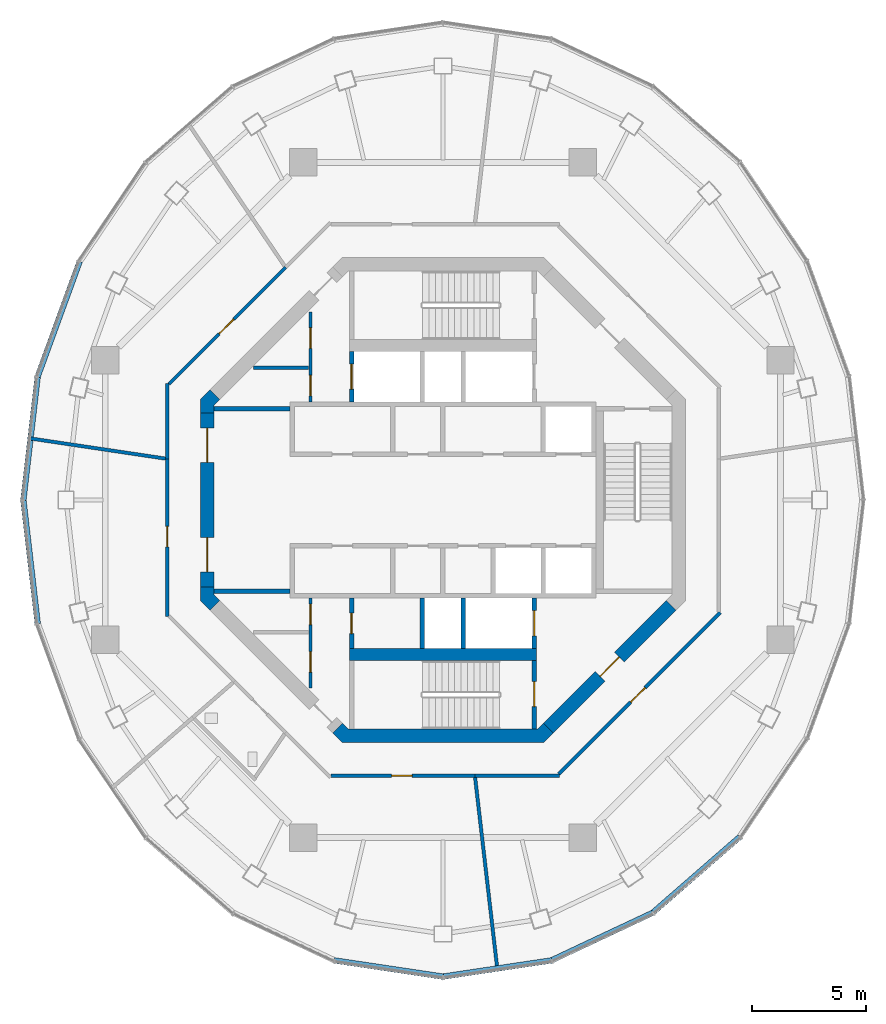
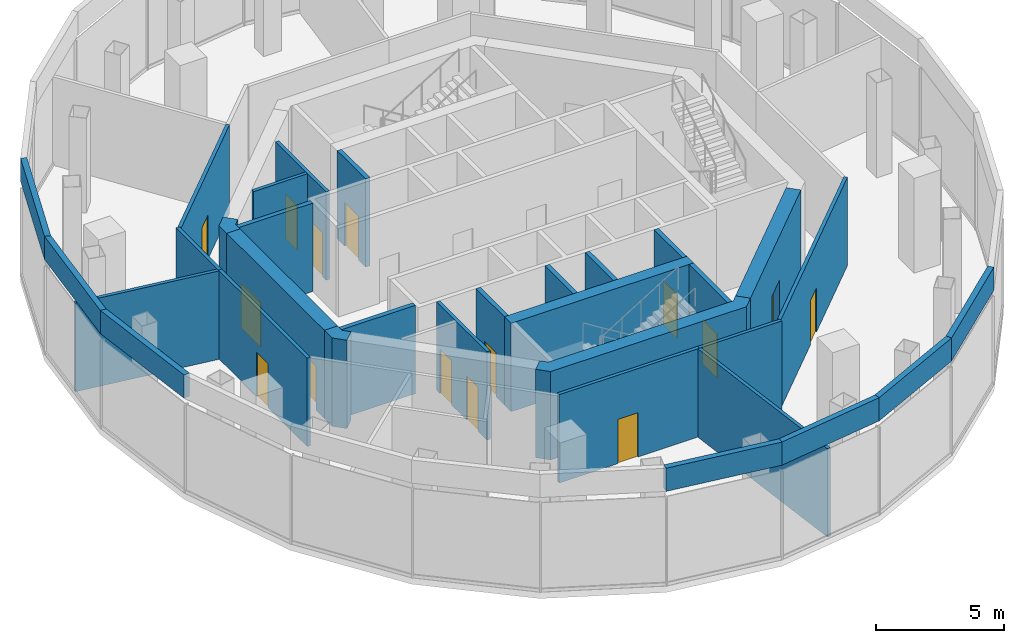
# One storey, part 7 of 11: 32 walls, 15 doors, 15 openings.
"""IFC4 building model written with IfcOpenShell, lengths in metres."""

from ifc_helpers import new_model, si_unit, direction, frame, frame_2d, origin, place, context, subcontext, project, spatial, polyline, rectangle, outline, extrude, material, layer, layer_set, type_object, element, fill, save


model = new_model("IFC4")

# Units and contexts
model_context = context("Model", 3, precision=1e-05, world=origin(), true_north=direction((0.0, 1.0)))
body_context = subcontext(model_context, "Body", "Model", "MODEL_VIEW")
ifc_project = project(units=[si_unit("LENGTHUNIT", "METRE"), si_unit("AREAUNIT", "SQUARE_METRE"), si_unit("VOLUMEUNIT", "CUBIC_METRE"), si_unit("PLANEANGLEUNIT", "RADIAN"), si_unit("MASSUNIT", "GRAM", prefix="KILO")], contexts=[model_context])

# Site, building, storey
site_placement = place(None, origin())
site = spatial("IfcSite", under=ifc_project, at=site_placement, CompositionType="ELEMENT")
building_placement = place(site_placement, origin())
building = spatial("IfcBuilding", under=site, at=building_placement, Name="Nagisa Residences", CompositionType="ELEMENT")
storey_placement = place(building_placement, frame((0.0, 0.0, 320.39990234375)))
storey = spatial("IfcBuildingStorey", under=building, at=storey_placement, Name="L79", CompositionType="ELEMENT", Elevation=320.39990234375)

# Wall, openings, doors
ifc_material_1 = material(Name="Gypsum board on steel studs", Category="steel")
ifc_layer_1 = layer(ifc_material_1, 0.14990234375)
ifc_layer_set_1 = layer_set([ifc_layer_1], Name="Core partition 150")
wall_type_1 = type_object("IfcWallType", Name="Core partition 150", PredefinedType="PARTITIONING", material=ifc_layer_set_1)
wall_1_placement = place(storey_placement, frame((-5.800048828125, 4.300048828125, 0.0), z_axis=(0.0, 0.0, 1.0), x_axis=(0.0, 1.0, 0.0)))
wall_1 = element("IfcWall", 1, at=wall_1_placement, inside=storey, type_object=wall_type_1, Name="wall:L79:NWp", PredefinedType="PARTITIONING", context=body_context, shape_type="SweptSolid", body=[
    extrude(rectangle(XDim=3.927001953125, YDim=0.14990234375, at=frame_2d((1.96337890625, 0.0))), origin(), (0.0, 0.0, 1.0), 4.2001953125),
])
opening_1_placement = place(wall_1_placement, frame((0.262451171875, 0.0, 0.0)))
opening_1 = element("IfcOpeningElement", 2, at=opening_1_placement, cuts=wall_1, Name="Opening L79-C10", PredefinedType="OPENING", context=body_context, shape_type="SweptSolid", body=[
    extrude(rectangle(XDim=0.89990234375, YDim=2.10009765625, at=frame_2d((0.449951171875, 1.050048828125))), frame((0.0, 0.0849609375, 0.0), z_axis=(0.0, -1.0, 0.0), x_axis=(1.0, 0.0, 0.0)), (0.0, 0.0, 1.0), 0.169921875),
])
opening_2_placement = place(wall_1_placement, frame((2.33837890625, 0.0, 0.0)))
opening_2 = element("IfcOpeningElement", 3, at=opening_2_placement, cuts=wall_1, Name="Opening L79-C11", PredefinedType="OPENING", context=body_context, shape_type="SweptSolid", body=[
    extrude(rectangle(XDim=0.89990234375, YDim=2.10009765625, at=frame_2d((0.449951171875, 1.050048828125))), frame((0.0, 0.0849609375, 0.0), z_axis=(0.0, -1.0, 0.0), x_axis=(1.0, 0.0, 0.0)), (0.0, 0.0, 1.0), 0.169921875),
])
ifc_material_2 = material(Name="Steel fire door", Category="steel")
door_type_1 = type_object("IfcDoorType", Name="Fire door EI30 900x2100 single swing", OperationType="NOTDEFINED", PredefinedType="DOOR", material=ifc_material_2)
door_1_placement = place(opening_1_placement, origin())
door_1 = element("IfcDoor", 4, at=door_1_placement, inside=storey, type_object=door_type_1, Name="Linen store door L79", OperationType="SINGLE_SWING_RIGHT", OverallHeight=2.10009765625, OverallWidth=0.89990234375, PredefinedType="DOOR", context=body_context, shape_type="SweptSolid", body=[
    extrude(rectangle(XDim=0.89990234375, YDim=2.10009765625, at=frame_2d((0.449951171875, 1.050048828125))), frame((0.0, 0.02490234375, 0.0), z_axis=(0.0, -1.0, 0.0), x_axis=(1.0, 0.0, 0.0)), (0.0, 0.0, 1.0), 0.050048828125),
])
fill(opening_1, door_1)
door_2_placement = place(opening_2_placement, origin())
door_2 = element("IfcDoor", 5, at=door_2_placement, inside=storey, type_object=door_type_1, Name="Refuse room door L79", OperationType="SINGLE_SWING_RIGHT", OverallHeight=2.10009765625, OverallWidth=0.89990234375, PredefinedType="DOOR", context=body_context, shape_type="SweptSolid", body=[
    extrude(rectangle(XDim=0.89990234375, YDim=2.10009765625, at=frame_2d((0.449951171875, 1.050048828125))), frame((0.0, 0.02490234375, 0.0), z_axis=(0.0, -1.0, 0.0), x_axis=(1.0, 0.0, 0.0)), (0.0, 0.0, 1.0), 0.050048828125),
])
fill(opening_2, door_2)

wall_2_placement = place(storey_placement, frame((-5.800048828125, -8.22705078125, 0.0), z_axis=(0.0, 0.0, 1.0), x_axis=(0.0, 1.0, 0.0)))
wall_2 = element("IfcWall", 6, at=wall_2_placement, inside=storey, type_object=wall_type_1, Name="wall:L79:SWp", PredefinedType="PARTITIONING", context=body_context, shape_type="SweptSolid", body=[
    extrude(rectangle(XDim=3.927001953125, YDim=0.14990234375, at=frame_2d((1.96337890625, 0.0))), origin(), (0.0, 0.0, 1.0), 4.2001953125),
])
opening_3_placement = place(wall_2_placement, frame((2.764404296875, 0.0, 0.0)))
opening_3 = element("IfcOpeningElement", 7, at=opening_3_placement, cuts=wall_2, Name="Opening L79-C12", PredefinedType="OPENING", context=body_context, shape_type="SweptSolid", body=[
    extrude(rectangle(XDim=0.89990234375, YDim=2.10009765625, at=frame_2d((0.449951171875, 1.050048828125))), frame((0.0, 0.0849609375, 0.0), z_axis=(0.0, -1.0, 0.0), x_axis=(1.0, 0.0, 0.0)), (0.0, 0.0, 1.0), 0.169921875),
])
opening_4_placement = place(wall_2_placement, frame((0.6884765625, 0.0, 0.0)))
opening_4 = element("IfcOpeningElement", 8, at=opening_4_placement, cuts=wall_2, Name="Opening L79-C13", PredefinedType="OPENING", context=body_context, shape_type="SweptSolid", body=[
    extrude(rectangle(XDim=0.89990234375, YDim=2.10009765625, at=frame_2d((0.449951171875, 1.050048828125))), frame((0.0, 0.0849609375, 0.0), z_axis=(0.0, -1.0, 0.0), x_axis=(1.0, 0.0, 0.0)), (0.0, 0.0, 1.0), 0.169921875),
])
door_3_placement = place(opening_3_placement, origin())
door_3 = element("IfcDoor", 9, at=door_3_placement, inside=storey, type_object=door_type_1, Name="Cleaner store door L79", OperationType="SINGLE_SWING_RIGHT", OverallHeight=2.10009765625, OverallWidth=0.89990234375, PredefinedType="DOOR", context=body_context, shape_type="SweptSolid", body=[
    extrude(rectangle(XDim=0.89990234375, YDim=2.10009765625, at=frame_2d((0.449951171875, 1.050048828125))), frame((0.0, 0.02490234375, 0.0), z_axis=(0.0, -1.0, 0.0), x_axis=(1.0, 0.0, 0.0)), (0.0, 0.0, 1.0), 0.050048828125),
])
fill(opening_3, door_3)
door_4_placement = place(opening_4_placement, origin())
door_4 = element("IfcDoor", 10, at=door_4_placement, inside=storey, type_object=door_type_1, Name="Package room door L79", OperationType="SINGLE_SWING_RIGHT", OverallHeight=2.10009765625, OverallWidth=0.89990234375, PredefinedType="DOOR", context=body_context, shape_type="SweptSolid", body=[
    extrude(rectangle(XDim=0.89990234375, YDim=2.10009765625, at=frame_2d((0.449951171875, 1.050048828125))), frame((0.0, 0.02490234375, 0.0), z_axis=(0.0, -1.0, 0.0), x_axis=(1.0, 0.0, 0.0)), (0.0, 0.0, 1.0), 0.050048828125),
])
fill(opening_4, door_4)

# Walls
wall_3_placement = place(storey_placement, frame((-8.301025390625, 5.800048828125, 0.0), z_axis=(0.0, 0.0, 1.0), x_axis=(1.0, 0.0, 0.0)))
element("IfcWall", 11, at=wall_3_placement, inside=storey, type_object=wall_type_1, Name="wall:L79:NWq", PredefinedType="PARTITIONING", context=body_context, shape_type="SweptSolid", body=[
    extrude(rectangle(XDim=2.426025390625, YDim=0.14990234375, at=frame_2d((1.212890625, 0.0))), origin(), (0.0, 0.0, 1.0), 4.2001953125),
])
ifc_material_3 = material(Name="Gypsum board on steel studs", Category="steel")
ifc_layer_2 = layer(ifc_material_3, 0.199951171875)
ifc_layer_set_2 = layer_set([ifc_layer_2], Name="Core partition 200")
wall_type_2 = type_object("IfcWallType", Name="Core partition 200", PredefinedType="PARTITIONING", material=ifc_layer_set_2)
for number, where, z_axis, x_axis, name in (
    (12, (-10.024658203125, -4.0, 0.0), (0.0, 0.0, 1.0), (1.0, 0.0, 0.0), "wall:L79:PSW"),
    (13, (-10.024658203125, 4.0, 0.0), (0.0, 0.0, 1.0), (1.0, 0.0, 0.0), "wall:L79:PNW"),
):
    element("IfcWall", number, at=place(storey_placement, frame(where, z_axis=z_axis, x_axis=x_axis)), inside=storey, type_object=wall_type_2, Name=name, PredefinedType="PARTITIONING", context=body_context, shape_type="SweptSolid", body=[
        extrude(rectangle(XDim=3.32470703125, YDim=0.199951171875, at=frame_2d((1.662353515625, 0.0))), origin(), (0.0, 0.0, 1.0), 4.2001953125),
    ])

# Wall, openings, doors
ifc_material_4 = material(Name="Concrete C60", Category="concrete")
ifc_layer_3 = layer(ifc_material_4, 0.60009765625)
ifc_layer_set_3 = layer_set([ifc_layer_3], Name="Core shear wall 600")
wall_type_3 = type_object("IfcWallType", Name="Core shear wall 600", PredefinedType="SHEAR", material=ifc_layer_set_3)
wall_4_placement = place(storey_placement, frame((-10.32470703125, 3.80078125, 0.0), z_axis=(0.0, 0.0, 1.0), x_axis=(0.0, -1.0, 0.0)))
wall_4 = element("IfcWall", 14, at=wall_4_placement, inside=storey, type_object=wall_type_3, Name="wall:L79:core:flat4", PredefinedType="SHEAR", context=body_context, shape_type="SweptSolid", body=[
    extrude(rectangle(XDim=7.6015625, YDim=0.60009765625, at=frame_2d((3.80078125, 0.0))), origin(), (0.0, 0.0, 1.0), 4.2001953125),
])
opening_5_placement = place(wall_4_placement, frame((0.65087890625, 0.0, 0.0)))
opening_5 = element("IfcOpeningElement", 15, at=opening_5_placement, cuts=wall_4, Name="Opening L79-C23", PredefinedType="OPENING", context=body_context, shape_type="SweptSolid", body=[
    extrude(rectangle(XDim=1.5, YDim=2.10009765625, at=frame_2d((0.75, 1.050048828125))), frame((0.0, 0.31005859375, 0.0), z_axis=(0.0, -1.0, 0.0), x_axis=(1.0, 0.0, 0.0)), (0.0, 0.0, 1.0), 0.6201171875),
])
opening_6_placement = place(wall_4_placement, frame((5.450927734375, 0.0, 0.0)))
opening_6 = element("IfcOpeningElement", 16, at=opening_6_placement, cuts=wall_4, Name="Opening L79-C24", PredefinedType="OPENING", context=body_context, shape_type="SweptSolid", body=[
    extrude(rectangle(XDim=1.5, YDim=2.10009765625, at=frame_2d((0.75, 1.050048828125))), frame((0.0, 0.31005859375, 0.0), z_axis=(0.0, -1.0, 0.0), x_axis=(1.0, 0.0, 0.0)), (0.0, 0.0, 1.0), 0.6201171875),
])
ifc_material_5 = material(Name="Steel fire door", Category="steel")
door_type_2 = type_object("IfcDoorType", Name="Fire door EI60 1500x2100 double door single swing", OperationType="DOUBLE_DOOR_SINGLE_SWING", PredefinedType="DOOR", material=ifc_material_5)
door_5_placement = place(opening_5_placement, origin())
door_5 = element("IfcDoor", 17, at=door_5_placement, inside=storey, type_object=door_type_2, Name="Lift lobby door L79 1", OperationType="DOUBLE_DOOR_SINGLE_SWING", OverallHeight=2.10009765625, OverallWidth=1.5, PredefinedType="DOOR", context=body_context, shape_type="SweptSolid", body=[
    extrude(rectangle(XDim=1.5, YDim=2.10009765625, at=frame_2d((0.75, 1.050048828125))), frame((0.0, 0.02490234375, 0.0), z_axis=(0.0, -1.0, 0.0), x_axis=(1.0, 0.0, 0.0)), (0.0, 0.0, 1.0), 0.050048828125),
])
fill(opening_5, door_5)
door_6_placement = place(opening_6_placement, origin())
door_6 = element("IfcDoor", 18, at=door_6_placement, inside=storey, type_object=door_type_2, Name="Lift lobby door L79 2", OperationType="DOUBLE_DOOR_SINGLE_SWING", OverallHeight=2.10009765625, OverallWidth=1.5, PredefinedType="DOOR", context=body_context, shape_type="SweptSolid", body=[
    extrude(rectangle(XDim=1.5, YDim=2.10009765625, at=frame_2d((0.75, 1.050048828125))), frame((0.0, 0.02490234375, 0.0), z_axis=(0.0, -1.0, 0.0), x_axis=(1.0, 0.0, 0.0)), (0.0, 0.0, 1.0), 0.050048828125),
])
fill(opening_6, door_6)

# Wall, opening, door
wall_5_placement = place(storey_placement, frame((4.613037109375, -9.98828125, 0.0), z_axis=(0.0, 0.0, 1.0), x_axis=(0.707106781187, 0.707106781187, 0.0)))
wall_5 = element("IfcWall", 19, at=wall_5_placement, inside=storey, type_object=wall_type_3, Name="wall:L79:core:flat7", PredefinedType="SHEAR", context=body_context, shape_type="SweptSolid", body=[
    extrude(rectangle(XDim=7.601806640625, YDim=0.60009765625, at=frame_2d((3.80078125, 0.0))), origin(), (0.0, 0.0, 1.0), 4.2001953125),
])
opening_7_placement = place(wall_5_placement, frame((3.200927734375, 0.0, 0.0)))
opening_7 = element("IfcOpeningElement", 20, at=opening_7_placement, cuts=wall_5, Name="Opening L79-C22", PredefinedType="OPENING", context=body_context, shape_type="SweptSolid", body=[
    extrude(rectangle(XDim=1.199951171875, YDim=2.10009765625, at=frame_2d((0.60009765625, 1.050048828125))), frame((0.0, 0.31005859375, 0.0), z_axis=(0.0, -1.0, 0.0), x_axis=(1.0, 0.0, 0.0)), (0.0, 0.0, 1.0), 0.6201171875),
])
ifc_material_6 = material(Name="Steel fire door", Category="steel")
door_type_3 = type_object("IfcDoorType", Name="Fire door EI60 1200x2100 single swing", OperationType="NOTDEFINED", PredefinedType="DOOR", material=ifc_material_6)
door_7_placement = place(opening_7_placement, origin())
door_7 = element("IfcDoor", 21, at=door_7_placement, inside=storey, type_object=door_type_3, Name="Firefighting lobby 2 door L79", OperationType="SINGLE_SWING_LEFT", OverallHeight=2.10009765625, OverallWidth=1.199951171875, PredefinedType="DOOR", context=body_context, shape_type="SweptSolid", body=[
    extrude(rectangle(XDim=1.199951171875, YDim=2.10009765625, at=frame_2d((0.60009765625, 1.050048828125))), frame((0.0, 0.02490234375, 0.0), z_axis=(0.0, -1.0, 0.0), x_axis=(1.0, 0.0, 0.0)), (0.0, 0.0, 1.0), 0.050048828125),
])
fill(opening_7, door_7)

# Walls
wall_6_placement = place(storey_placement, origin())
element("IfcWall", 22, at=wall_6_placement, inside=storey, type_object=wall_type_3, Name="wall:L79:core:pier4", PredefinedType="SHEAR", context=body_context, shape_type="SweptSolid", body=[
    extrude(outline(polyline([(-10.62451171875, -3.80078125), (-10.024658203125, -3.80078125), (-10.024658203125, -4.15234375), (-9.776123046875, -4.40087890625), (-10.200439453125, -4.8251953125), (-10.62451171875, -4.40087890625), (-10.62451171875, -3.80078125)])), origin(), (0.0, 0.0, 1.0), 4.2001953125),
])
wall_7_placement = place(storey_placement, origin())
element("IfcWall", 23, at=wall_7_placement, inside=storey, type_object=wall_type_3, Name="wall:L79:core:pier3", PredefinedType="SHEAR", context=body_context, shape_type="SweptSolid", body=[
    extrude(outline(polyline([(-10.200439453125, 4.8251953125), (-9.776123046875, 4.40087890625), (-10.024658203125, 4.15234375), (-10.024658203125, 3.80078125), (-10.62451171875, 3.80078125), (-10.62451171875, 4.40087890625), (-10.200439453125, 4.8251953125)])), origin(), (0.0, 0.0, 1.0), 4.2001953125),
])
wall_8_placement = place(storey_placement, origin())
element("IfcWall", 24, at=wall_8_placement, inside=storey, type_object=wall_type_3, Name="wall:L79:core:flat6", PredefinedType="SHEAR", context=body_context, shape_type="SweptSolid", body=[
    extrude(outline(polyline([(-4.15234375, -10.024658203125), (4.15234375, -10.024658203125), (4.40087890625, -9.776123046875), (4.8251953125, -10.200439453125), (4.40087890625, -10.62451171875), (-4.40087890625, -10.62451171875), (-4.8251953125, -10.200439453125), (-4.40087890625, -9.776123046875), (-4.15234375, -10.024658203125)])), origin(), (0.0, 0.0, 1.0), 4.2001953125),
])

# Wall, opening, door
ifc_material_7 = material(Name="Concrete C60", Category="concrete")
ifc_layer_4 = layer(ifc_material_7, 0.199951171875)
ifc_layer_set_4 = layer_set([ifc_layer_4], Name="Lift shaft wall 200")
wall_type_4 = type_object("IfcWallType", Name="Lift shaft wall 200", PredefinedType="SOLIDWALL", material=ifc_layer_set_4)
wall_9_placement = place(storey_placement, frame((-4.0, 4.300048828125, 0.0), z_axis=(0.0, 0.0, 1.0), x_axis=(0.0, 1.0, 0.0)))
wall_9 = element("IfcWall", 25, at=wall_9_placement, inside=storey, type_object=wall_type_4, Name="wall:L79:Nb4", PredefinedType="SOLIDWALL", context=body_context, shape_type="SweptSolid", body=[
    extrude(rectangle(XDim=2.199951171875, YDim=0.199951171875, at=frame_2d((1.10009765625, 0.0))), origin(), (0.0, 0.0, 1.0), 4.2001953125),
])
opening_8_placement = place(wall_9_placement, frame((0.550048828125, 0.0, 0.0)))
opening_8 = element("IfcOpeningElement", 26, at=opening_8_placement, cuts=wall_9, Name="Opening L79-C06", PredefinedType="OPENING", context=body_context, shape_type="SweptSolid", body=[
    extrude(rectangle(XDim=1.10009765625, YDim=2.10009765625, at=frame_2d((0.550048828125, 1.050048828125))), frame((0.0, 0.10986328125, 0.0), z_axis=(0.0, -1.0, 0.0), x_axis=(1.0, 0.0, 0.0)), (0.0, 0.0, 1.0), 0.219970703125),
])
ifc_material_8 = material(Name="Stainless steel", Category="steel")
door_type_4 = type_object("IfcDoorType", Name="Lift landing door 1100x2100", OperationType="DOUBLE_DOOR_SLIDING", PredefinedType="DOOR", material=ifc_material_8)
door_8_placement = place(opening_8_placement, origin())
door_8 = element("IfcDoor", 27, at=door_8_placement, inside=storey, type_object=door_type_4, Name="Landing door SV L79", OperationType="DOUBLE_DOOR_SLIDING", OverallHeight=2.10009765625, OverallWidth=1.10009765625, PredefinedType="DOOR", context=body_context, shape_type="SweptSolid", body=[
    extrude(rectangle(XDim=1.10009765625, YDim=2.10009765625, at=frame_2d((0.550048828125, 1.050048828125))), frame((0.0, 0.02490234375, 0.0), z_axis=(0.0, -1.0, 0.0), x_axis=(1.0, 0.0, 0.0)), (0.0, 0.0, 1.0), 0.050048828125),
])
fill(opening_8, door_8)

wall_10_placement = place(storey_placement, frame((4.0, -6.5, 0.0), z_axis=(0.0, 0.0, 1.0), x_axis=(0.0, 1.0, 0.0)))
wall_10 = element("IfcWall", 28, at=wall_10_placement, inside=storey, type_object=wall_type_4, Name="wall:L79:Sb3", PredefinedType="SOLIDWALL", context=body_context, shape_type="SweptSolid", body=[
    extrude(rectangle(XDim=2.199951171875, YDim=0.199951171875, at=frame_2d((1.10009765625, 0.0))), origin(), (0.0, 0.0, 1.0), 4.2001953125),
])
opening_9_placement = place(wall_10_placement, frame((0.550048828125, 0.0, 0.0)))
opening_9 = element("IfcOpeningElement", 29, at=opening_9_placement, cuts=wall_10, Name="Opening L79-C05", PredefinedType="OPENING", context=body_context, shape_type="SweptSolid", body=[
    extrude(rectangle(XDim=1.10009765625, YDim=2.10009765625, at=frame_2d((0.550048828125, 1.050048828125))), frame((0.0, 0.10986328125, 0.0), z_axis=(0.0, -1.0, 0.0), x_axis=(1.0, 0.0, 0.0)), (0.0, 0.0, 1.0), 0.219970703125),
])
door_9_placement = place(opening_9_placement, origin())
door_9 = element("IfcDoor", 30, at=door_9_placement, inside=storey, type_object=door_type_4, Name="Landing door FL2 L79", OperationType="DOUBLE_DOOR_SLIDING", OverallHeight=2.10009765625, OverallWidth=1.10009765625, PredefinedType="DOOR", context=body_context, shape_type="SweptSolid", body=[
    extrude(rectangle(XDim=1.10009765625, YDim=2.10009765625, at=frame_2d((0.550048828125, 1.050048828125))), frame((0.0, 0.02490234375, 0.0), z_axis=(0.0, -1.0, 0.0), x_axis=(1.0, 0.0, 0.0)), (0.0, 0.0, 1.0), 0.050048828125),
])
fill(opening_9, door_9)

wall_11_placement = place(storey_placement, frame((-4.0, -6.5, 0.0), z_axis=(0.0, 0.0, 1.0), x_axis=(0.0, 1.0, 0.0)))
wall_11 = element("IfcWall", 31, at=wall_11_placement, inside=storey, type_object=wall_type_4, Name="wall:L79:Sb4", PredefinedType="SOLIDWALL", context=body_context, shape_type="SweptSolid", body=[
    extrude(rectangle(XDim=2.199951171875, YDim=0.199951171875, at=frame_2d((1.10009765625, 0.0))), origin(), (0.0, 0.0, 1.0), 4.2001953125),
])
opening_10_placement = place(wall_11_placement, frame((0.64990234375, 0.0, 0.0)))
opening_10 = element("IfcOpeningElement", 32, at=opening_10_placement, cuts=wall_11, Name="Opening L79-C14", PredefinedType="OPENING", context=body_context, shape_type="SweptSolid", body=[
    extrude(rectangle(XDim=0.89990234375, YDim=2.10009765625, at=frame_2d((0.449951171875, 1.050048828125))), frame((0.0, 0.10986328125, 0.0), z_axis=(0.0, -1.0, 0.0), x_axis=(1.0, 0.0, 0.0)), (0.0, 0.0, 1.0), 0.219970703125),
])
door_10_placement = place(opening_10_placement, frame((0.89990234375, 0.0, 0.0), x_axis=(-1.0, 0.0, 0.0)))
door_10 = element("IfcDoor", 33, at=door_10_placement, inside=storey, type_object=door_type_1, Name="Refuse room door L79", OperationType="SINGLE_SWING_RIGHT", OverallHeight=2.10009765625, OverallWidth=0.89990234375, PredefinedType="DOOR", context=body_context, shape_type="SweptSolid", body=[
    extrude(rectangle(XDim=0.89990234375, YDim=2.10009765625, at=frame_2d((0.449951171875, 1.050048828125))), frame((0.0, 0.02490234375, 0.0), z_axis=(0.0, -1.0, 0.0), x_axis=(1.0, 0.0, 0.0)), (0.0, 0.0, 1.0), 0.050048828125),
])
fill(opening_10, door_10)

# Walls
for number, where, z_axis, x_axis, name in (
    (34, (-0.89990234375, -6.5, 0.0), (0.0, 0.0, 1.0), (0.0, 1.0, 0.0), "wall:L79:Sb1"),
    (35, (0.89990234375, -6.5, 0.0), (0.0, 0.0, 1.0), (0.0, 1.0, 0.0), "wall:L79:Sb2"),
):
    element("IfcWall", number, at=place(storey_placement, frame(where, z_axis=z_axis, x_axis=x_axis)), inside=storey, type_object=wall_type_4, Name=name, PredefinedType="SOLIDWALL", context=body_context, shape_type="SweptSolid", body=[
        extrude(rectangle(XDim=2.199951171875, YDim=0.199951171875, at=frame_2d((1.10009765625, 0.0))), origin(), (0.0, 0.0, 1.0), 4.2001953125),
    ])
ifc_material_9 = material(Name="Precast concrete C40/50", Category="concrete")
ifc_layer_5 = layer(ifc_material_9, 0.25)
ifc_layer_set_5 = layer_set([ifc_layer_5], Name="PARAPET 250")
wall_type_5 = type_object("IfcWallType", Name="PARAPET 250", PredefinedType="PARAPET", material=ifc_layer_set_5)
wall_12_placement = place(storey_placement, frame((-15.904052734375, 10.45703125, 4.5), z_axis=(0.0, 0.0, 1.0), x_axis=(-0.342797263009, -0.939409408338, 0.0)))
element("IfcWall", 36, at=wall_12_placement, inside=storey, type_object=wall_type_5, Name="parapet:L79:10", PredefinedType="PARAPET", context=body_context, shape_type="SweptSolid", body=[
    extrude(rectangle(XDim=5.391357421875, YDim=0.25, at=frame_2d((2.69580078125, 0.0))), origin(), (0.0, 0.0, 1.0), 1.10009765625),
])
for number, where, z_axis, x_axis, name in (
    (37, (-17.745361328125, 5.4208984375, 4.5), (0.0, 0.0, 1.0), (-0.115204975707, -0.993341740577, 0.0), "parapet:L79:11"),
    (38, (-18.375732421875, 0.014404296875, 4.5), (0.0, 0.0, 1.0), (0.115204975707, -0.993341740577, 0.0), "parapet:L79:12"),
):
    element("IfcWall", number, at=place(storey_placement, frame(where, z_axis=z_axis, x_axis=x_axis)), inside=storey, type_object=wall_type_5, Name=name, PredefinedType="PARAPET", context=body_context, shape_type="SweptSolid", body=[
        extrude(rectangle(XDim=5.4716796875, YDim=0.25, at=frame_2d((2.73583984375, 0.0))), origin(), (0.0, 0.0, 1.0), 1.10009765625),
    ])
for number, where, z_axis, x_axis, name in (
    (39, (-4.769775390625, -20.160888671875, 4.5), (0.0, 0.0, 1.0), (0.989017208571, -0.147800409847, 0.0), "parapet:L79:17"),
    (40, (-0.0185546875, -20.87646484375, 4.5), (0.0, 0.0, 1.0), (0.989017208571, 0.147800409847, 0.0), "parapet:L79:18"),
):
    element("IfcWall", number, at=place(storey_placement, frame(where, z_axis=z_axis, x_axis=x_axis)), inside=storey, type_object=wall_type_5, Name=name, PredefinedType="PARAPET", context=body_context, shape_type="SweptSolid", body=[
        extrude(rectangle(XDim=4.841552734375, YDim=0.25, at=frame_2d((2.4208984375, 0.0))), origin(), (0.0, 0.0, 1.0), 1.10009765625),
    ])
wall_13_placement = place(storey_placement, frame((4.73486328125, -20.17138671875, 4.5), z_axis=(0.0, 0.0, 1.0), x_axis=(0.904961168887, 0.425494163069, 0.0)))
element("IfcWall", 41, at=wall_13_placement, inside=storey, type_object=wall_type_5, Name="parapet:L79:19", PredefinedType="PARAPET", context=body_context, shape_type="SweptSolid", body=[
    extrude(rectangle(XDim=4.930419921875, YDim=0.25, at=frame_2d((2.46533203125, 0.0))), origin(), (0.0, 0.0, 1.0), 1.10009765625),
])
wall_14_placement = place(storey_placement, frame((9.16796875, -18.09228515625, 4.5), z_axis=(0.0, 0.0, 1.0), x_axis=(0.754036302734, 0.656832744432, 0.0)))
element("IfcWall", 42, at=wall_14_placement, inside=storey, type_object=wall_type_5, Name="parapet:L79:20", PredefinedType="PARAPET", context=body_context, shape_type="SweptSolid", body=[
    extrude(rectangle(XDim=5.0810546875, YDim=0.25, at=frame_2d((2.54052734375, 0.0))), origin(), (0.0, 0.0, 1.0), 1.10009765625),
])

# Wall, opening, door
ifc_material_10 = material(Name="Gypsum board on steel studs", Category="steel")
ifc_layer_6 = layer(ifc_material_10, 0.14990234375)
ifc_layer_set_6 = layer_set([ifc_layer_6], Name="Room partition EI60 150")
wall_type_6 = type_object("IfcWallType", Name="Room partition EI60 150", PredefinedType="PARTITIONING", material=ifc_layer_set_6)
wall_15_placement = place(storey_placement, frame((-12.074951171875, -5.107177734375, 0.0), z_axis=(0.0, 0.0, 1.0), x_axis=(0.0, 1.0, 0.0)))
wall_15 = element("IfcWall", 43, at=wall_15_placement, inside=storey, type_object=wall_type_6, Name="wall:L79:am000", PredefinedType="PARTITIONING", context=body_context, shape_type="SweptSolid", body=[
    extrude(rectangle(XDim=6.908203125, YDim=0.14990234375, at=frame_2d((3.4541015625, 0.0))), origin(), (0.0, 0.0, 1.0), 4.2001953125),
])
opening_11_placement = place(wall_15_placement, frame((3.05712890625, 0.0, 0.0)))
opening_11 = element("IfcOpeningElement", 44, at=opening_11_placement, cuts=wall_15, Name="Opening L79-A04", PredefinedType="OPENING", context=body_context, shape_type="SweptSolid", body=[
    extrude(rectangle(XDim=0.89990234375, YDim=2.10009765625, at=frame_2d((0.449951171875, 1.050048828125))), frame((0.0, 0.0849609375, 0.0), z_axis=(0.0, -1.0, 0.0), x_axis=(1.0, 0.0, 0.0)), (0.0, 0.0, 1.0), 0.169921875),
])
door_11_placement = place(opening_11_placement, origin())
door_11 = element("IfcDoor", 45, at=door_11_placement, inside=storey, type_object=door_type_1, Name="Tasting room door", OperationType="SINGLE_SWING_RIGHT", OverallHeight=2.10009765625, OverallWidth=0.89990234375, PredefinedType="DOOR", context=body_context, shape_type="SweptSolid", body=[
    extrude(rectangle(XDim=0.89990234375, YDim=2.10009765625, at=frame_2d((0.449951171875, 1.050048828125))), frame((0.0, 0.02490234375, 0.0), z_axis=(0.0, -1.0, 0.0), x_axis=(1.0, 0.0, 0.0)), (0.0, 0.0, 1.0), 0.050048828125),
])
fill(opening_11, door_11)

# Walls
wall_16_placement = place(storey_placement, frame((-12.14990234375, 1.812255859375, 0.0), z_axis=(0.0, 0.0, 1.0), x_axis=(-0.989039934914, 0.147648254801, 0.0)))
element("IfcWall", 46, at=wall_16_placement, inside=storey, type_object=wall_type_6, Name="wall:L79:am001", PredefinedType="PARTITIONING", context=body_context, shape_type="SweptSolid", body=[
    extrude(rectangle(XDim=6.002197265625, YDim=0.14990234375, at=frame_2d((3.0009765625, 0.0))), origin(), (0.0, 0.0, 1.0), 4.2001953125),
])
wall_17_placement = place(storey_placement, frame((-12.074951171875, 1.801025390625, 0.0), z_axis=(0.0, 0.0, 1.0), x_axis=(0.0, 1.0, 0.0)))
element("IfcWall", 47, at=wall_17_placement, inside=storey, type_object=wall_type_6, Name="wall:L79:am002", PredefinedType="PARTITIONING", context=body_context, shape_type="SweptSolid", body=[
    extrude(rectangle(XDim=3.30712890625, YDim=0.14990234375, at=frame_2d((1.653564453125, 0.0))), origin(), (0.0, 0.0, 1.0), 4.2001953125),
])

# Wall, opening, door
wall_18_placement = place(storey_placement, frame((-12.0, 5.076904296875, 0.0), z_axis=(0.0, 0.0, 1.0), x_axis=(0.707157469239, 0.7070560895, 0.0)))
wall_18 = element("IfcWall", 48, at=wall_18_placement, inside=storey, type_object=wall_type_6, Name="wall:L79:am003", PredefinedType="PARTITIONING", context=body_context, shape_type="SweptSolid", body=[
    extrude(rectangle(XDim=7.224609375, YDim=0.14990234375, at=frame_2d((3.6123046875, 0.0))), origin(), (0.0, 0.0, 1.0), 4.2001953125),
])
opening_12_placement = place(wall_18_placement, frame((3.109130859375, 0.0, 0.0)))
opening_12 = element("IfcOpeningElement", 49, at=opening_12_placement, cuts=wall_18, Name="Opening L79-A03", PredefinedType="OPENING", context=body_context, shape_type="SweptSolid", body=[
    extrude(rectangle(XDim=0.89990234375, YDim=2.10009765625, at=frame_2d((0.449951171875, 1.050048828125))), frame((0.0, 0.0849609375, 0.0), z_axis=(0.0, -1.0, 0.0), x_axis=(1.0, 0.0, 0.0)), (0.0, 0.0, 1.0), 0.169921875),
])
door_12_placement = place(opening_12_placement, origin())
door_12 = element("IfcDoor", 50, at=door_12_placement, inside=storey, type_object=door_type_1, Name="Private lounge 6 door", OperationType="SINGLE_SWING_LEFT", OverallHeight=2.10009765625, OverallWidth=0.89990234375, PredefinedType="DOOR", context=body_context, shape_type="SweptSolid", body=[
    extrude(rectangle(XDim=0.89990234375, YDim=2.10009765625, at=frame_2d((0.449951171875, 1.050048828125))), frame((0.0, 0.02490234375, 0.0), z_axis=(0.0, -1.0, 0.0), x_axis=(1.0, 0.0, 0.0)), (0.0, 0.0, 1.0), 0.050048828125),
])
fill(opening_12, door_12)

wall_19_placement = place(storey_placement, frame((1.40087890625, -12.074951171875, 0.0), z_axis=(0.0, 0.0, 1.0), x_axis=(-1.0, 0.0, 0.0)))
wall_19 = element("IfcWall", 51, at=wall_19_placement, inside=storey, type_object=wall_type_6, Name="wall:L79:am014", PredefinedType="PARTITIONING", context=body_context, shape_type="SweptSolid", body=[
    extrude(rectangle(XDim=6.2958984375, YDim=0.14990234375, at=frame_2d((3.14794921875, 0.0))), origin(), (0.0, 0.0, 1.0), 4.2001953125),
])
opening_13_placement = place(wall_19_placement, frame((2.7509765625, 0.0, 0.0)))
opening_13 = element("IfcOpeningElement", 52, at=opening_13_placement, cuts=wall_19, Name="Opening L79-A06", PredefinedType="OPENING", context=body_context, shape_type="SweptSolid", body=[
    extrude(rectangle(XDim=0.89990234375, YDim=2.10009765625, at=frame_2d((0.449951171875, 1.050048828125))), frame((0.0, 0.0849609375, 0.0), z_axis=(0.0, -1.0, 0.0), x_axis=(1.0, 0.0, 0.0)), (0.0, 0.0, 1.0), 0.169921875),
])
door_13_placement = place(opening_13_placement, origin())
door_13 = element("IfcDoor", 53, at=door_13_placement, inside=storey, type_object=door_type_1, Name="Private lounge 7 door", OperationType="SINGLE_SWING_RIGHT", OverallHeight=2.10009765625, OverallWidth=0.89990234375, PredefinedType="DOOR", context=body_context, shape_type="SweptSolid", body=[
    extrude(rectangle(XDim=0.89990234375, YDim=2.10009765625, at=frame_2d((0.449951171875, 1.050048828125))), frame((0.0, 0.02490234375, 0.0), z_axis=(0.0, -1.0, 0.0), x_axis=(1.0, 0.0, 0.0)), (0.0, 0.0, 1.0), 0.050048828125),
])
fill(opening_13, door_13)

# Walls
wall_20_placement = place(storey_placement, frame((1.40966796875, -12.14990234375, 0.0), z_axis=(0.0, 0.0, 1.0), x_axis=(0.115263493726, -0.993334952075, 0.0)))
element("IfcWall", 54, at=wall_20_placement, inside=storey, type_object=wall_type_6, Name="wall:L79:am015", PredefinedType="PARTITIONING", context=body_context, shape_type="SweptSolid", body=[
    extrude(rectangle(XDim=8.44921875, YDim=0.14990234375, at=frame_2d((4.224609375, 0.0))), origin(), (0.0, 0.0, 1.0), 4.2001953125),
])
wall_21_placement = place(storey_placement, frame((5.108154296875, -12.074951171875, 0.0), z_axis=(0.0, 0.0, 1.0), x_axis=(-1.0, 0.0, 0.0)))
element("IfcWall", 55, at=wall_21_placement, inside=storey, type_object=wall_type_6, Name="wall:L79:am018", PredefinedType="PARTITIONING", context=body_context, shape_type="SweptSolid", body=[
    extrude(rectangle(XDim=3.707275390625, YDim=0.14990234375, at=frame_2d((1.853515625, 0.0))), origin(), (0.0, 0.0, 1.0), 4.2001953125),
])

# Wall, opening, door
wall_22_placement = place(storey_placement, frame((12.14990234375, -4.926025390625, 0.0), z_axis=(0.0, 0.0, 1.0), x_axis=(-0.707057968072, -0.707155590932, 0.0)))
wall_22 = element("IfcWall", 56, at=wall_22_placement, inside=storey, type_object=wall_type_6, Name="wall:L79:am020", PredefinedType="PARTITIONING", context=body_context, shape_type="SweptSolid", body=[
    extrude(rectangle(XDim=10.00341796875, YDim=0.14990234375, at=frame_2d((5.001708984375, 0.0))), origin(), (0.0, 0.0, 1.0), 4.2001953125),
])
opening_14_placement = place(wall_22_placement, frame((4.65771484375, 0.0, 0.0)))
opening_14 = element("IfcOpeningElement", 57, at=opening_14_placement, cuts=wall_22, Name="Opening L79-A07", PredefinedType="OPENING", context=body_context, shape_type="SweptSolid", body=[
    extrude(rectangle(XDim=0.89990234375, YDim=2.10009765625, at=frame_2d((0.449951171875, 1.050048828125))), frame((0.0, 0.0849609375, 0.0), z_axis=(0.0, -1.0, 0.0), x_axis=(1.0, 0.0, 0.0)), (0.0, 0.0, 1.0), 0.169921875),
])
door_14_placement = place(opening_14_placement, origin())
door_14 = element("IfcDoor", 58, at=door_14_placement, inside=storey, type_object=door_type_1, Name="Lantern service room door", OperationType="SINGLE_SWING_LEFT", OverallHeight=2.10009765625, OverallWidth=0.89990234375, PredefinedType="DOOR", context=body_context, shape_type="SweptSolid", body=[
    extrude(rectangle(XDim=0.89990234375, YDim=2.10009765625, at=frame_2d((0.449951171875, 1.050048828125))), frame((0.0, 0.02490234375, 0.0), z_axis=(0.0, -1.0, 0.0), x_axis=(1.0, 0.0, 0.0)), (0.0, 0.0, 1.0), 0.050048828125),
])
fill(opening_14, door_14)

ifc_material_11 = material(Name="Concrete C60", Category="concrete")
ifc_layer_7 = layer(ifc_material_11, 0.199951171875)
ifc_layer_set_7 = layer_set([ifc_layer_7], Name="Stair enclosure wall 200")
wall_type_7 = type_object("IfcWallType", Name="Stair enclosure wall 200", PredefinedType="SOLIDWALL", material=ifc_layer_set_7)
wall_23_placement = place(storey_placement, frame((4.0, -10.024658203125, 0.0), z_axis=(0.0, 0.0, 1.0), x_axis=(0.0, 1.0, 0.0)))
wall_23 = element("IfcWall", 59, at=wall_23_placement, inside=storey, type_object=wall_type_7, Name="wall:L79:SS_e", PredefinedType="SOLIDWALL", context=body_context, shape_type="SweptSolid", body=[
    extrude(rectangle(XDim=3.0, YDim=0.199951171875, at=frame_2d((1.5, 0.0))), origin(), (0.0, 0.0, 1.0), 4.2001953125),
])
opening_15_placement = place(wall_23_placement, frame((0.974609375, 0.0, 0.0)))
opening_15 = element("IfcOpeningElement", 60, at=opening_15_placement, cuts=wall_23, Name="Opening L79-C09", PredefinedType="OPENING", context=body_context, shape_type="SweptSolid", body=[
    extrude(rectangle(XDim=1.10009765625, YDim=2.10009765625, at=frame_2d((0.550048828125, 1.050048828125))), frame((0.0, 0.10986328125, 0.0), z_axis=(0.0, -1.0, 0.0), x_axis=(1.0, 0.0, 0.0)), (0.0, 0.0, 1.0), 0.219970703125),
])
ifc_material_12 = material(Name="Steel fire door", Category="steel")
door_type_5 = type_object("IfcDoorType", Name="Fire door EI90 1100x2100 single swing", OperationType="NOTDEFINED", PredefinedType="DOOR", material=ifc_material_12)
door_15_placement = place(opening_15_placement, origin())
door_15 = element("IfcDoor", 61, at=door_15_placement, inside=storey, type_object=door_type_5, Name="Stair door ST-S L79", OperationType="SINGLE_SWING_RIGHT", OverallHeight=2.10009765625, OverallWidth=1.10009765625, PredefinedType="DOOR", context=body_context, shape_type="SweptSolid", body=[
    extrude(rectangle(XDim=1.10009765625, YDim=2.10009765625, at=frame_2d((0.550048828125, 1.050048828125))), frame((0.0, 0.02490234375, 0.0), z_axis=(0.0, -1.0, 0.0), x_axis=(1.0, 0.0, 0.0)), (0.0, 0.0, 1.0), 0.050048828125),
])
fill(opening_15, door_15)

# Wall
wall_24_placement = place(storey_placement, origin())
element("IfcWall", 62, at=wall_24_placement, inside=storey, type_object=wall_type_7, Name="wall:L79:SS_n", PredefinedType="SOLIDWALL", context=body_context, shape_type="SweptSolid", body=[
    extrude(outline(polyline([(4.10009765625, -7.024658203125), (-4.10009765625, -7.024658203125), (-4.10009765625, -6.5), (4.10009765625, -6.5), (4.10009765625, -7.024658203125)])), origin(), (0.0, 0.0, 1.0), 4.2001953125),
])

save(model, "model.ifc")
